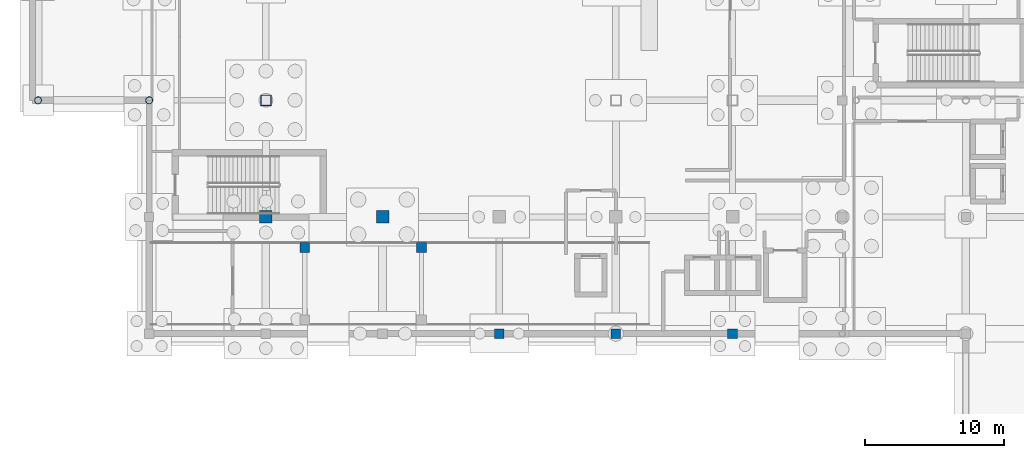
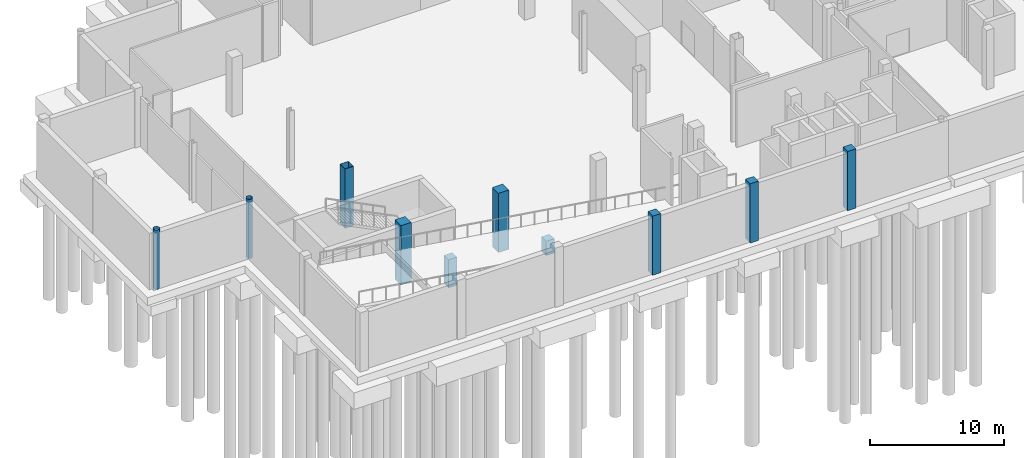
# One storey, part 6 of 49: 10 columns.
"""IFC4 building model written with IfcOpenShell, lengths in metres."""

from ifc_helpers import new_model, si_unit, direction, frame, origin, origin_2d, place, context, subcontext, project, spatial, rectangle, hollow_rectangle, hollow_circle, extrude, material, material_profile, profile_set, type_object, element, save


model = new_model("IFC4")

# Units and contexts
model_context = context("Model", 3, precision=1e-05, world=origin(), true_north=direction((0.0, 1.0)))
body_context = subcontext(model_context, "Body", "Model", "MODEL_VIEW")
ifc_project = project(units=[si_unit("LENGTHUNIT", "METRE"), si_unit("AREAUNIT", "SQUARE_METRE"), si_unit("VOLUMEUNIT", "CUBIC_METRE"), si_unit("PLANEANGLEUNIT", "RADIAN"), si_unit("MASSUNIT", "GRAM", prefix="KILO"), si_unit("THERMODYNAMICTEMPERATUREUNIT", "KELVIN")], contexts=[model_context])

# Site, building, storey
site_placement = place(None, origin())
site = spatial("IfcSite", under=ifc_project, at=site_placement, CompositionType="ELEMENT")
building_placement = place(site_placement, origin())
building = spatial("IfcBuilding", under=site, at=building_placement, Name="Lustrewick Department Store", CompositionType="ELEMENT")
storey_placement = place(building_placement, frame((0.0, 0.0, -5.39990234375)))
storey = spatial("IfcBuildingStorey", under=building, at=storey_placement, Name="B1", CompositionType="ELEMENT", Elevation=-5.39990234375)

# Columns
ifc_material_1 = material(Name="Structural steel Q355C", Category="steel")
ifc_material_profile_1 = material_profile(ifc_material_1, hollow_rectangle(XDim=0.75, YDim=0.75, WallThickness=0.028076171875, at=origin_2d()), Name="BOX 750x750x28")
ifc_profile_set_1 = profile_set([ifc_material_profile_1], Name="Structural steel Q355C")
column_type_1 = type_object("IfcColumnType", Name="C01", PredefinedType="COLUMN", material=ifc_profile_set_1)
column_1_placement = place(storey_placement, frame((16.800048828125, 58.800048828125, 0.0), z_axis=(0.0, 0.0, 1.0), x_axis=(1.0, 0.0, 0.0)))
element("IfcColumn", 1, at=column_1_placement, inside=storey, type_object=column_type_1, Name="B1 V1 Column C01", PredefinedType="COLUMN", context=body_context, shape_type="SweptSolid", body=[
    extrude(hollow_rectangle(XDim=0.75, YDim=0.75, WallThickness=0.028076171875, at=origin_2d()), origin(), (0.0, 0.0, 1.0), 5.39990234375),
])
ifc_material_2 = material(Name="Concrete C50", Category="concrete")
ifc_material_profile_2 = material_profile(ifc_material_2, rectangle(XDim=0.89990234375, YDim=0.89990234375, at=origin_2d()), Name="RC 900x900")
ifc_profile_set_2 = profile_set([ifc_material_profile_2], Name="Concrete C50")
column_type_2 = type_object("IfcColumnType", Name="C17", PredefinedType="COLUMN", material=ifc_profile_set_2)
for number, where, z_axis, x_axis, name in (
    (2, (16.800048828125, 50.39990234375, 0.0), (0.0, 0.0, 1.0), (1.0, 0.0, 0.0), "B1 V1 Column C17"),
    (3, (25.199951171875, 50.39990234375, 0.0), (0.0, 0.0, 1.0), (1.0, 0.0, 0.0), "B1 V1 Column C17"),
):
    element("IfcColumn", number, at=place(storey_placement, frame(where, z_axis=z_axis, x_axis=x_axis)), inside=storey, type_object=column_type_2, Name=name, PredefinedType="COLUMN", context=body_context, shape_type="SweptSolid", body=[
        extrude(rectangle(XDim=0.89990234375, YDim=0.89990234375, at=origin_2d()), origin(), (0.0, 0.0, 1.0), 5.39990234375),
    ])
ifc_material_profile_3 = material_profile(ifc_material_1, hollow_circle(Radius=0.25390625, WallThickness=0.01611328125, at=origin_2d()), Name="CHS 508x16")
ifc_profile_set_3 = profile_set([ifc_material_profile_3], Name="Structural steel Q355C")
column_type_3 = type_object("IfcColumnType", Name="CE01", PredefinedType="COLUMN", material=ifc_profile_set_3)
for number, where, z_axis, x_axis, name in (
    (4, (0.39990234375, 58.800048828125, 0.0), (0.0, 0.0, 1.0), (1.0, 0.0, 0.0), "B1 V1 Column CE01"),
    (5, (8.39990234375, 58.800048828125, 0.0), (0.0, 0.0, 1.0), (1.0, 0.0, 0.0), "B1 V1 Column CE01"),
):
    element("IfcColumn", number, at=place(storey_placement, frame(where, z_axis=z_axis, x_axis=x_axis)), inside=storey, type_object=column_type_3, Name=name, PredefinedType="COLUMN", context=body_context, shape_type="SweptSolid", body=[
        extrude(hollow_circle(Radius=0.25390625, WallThickness=0.01611328125, at=origin_2d()), origin(), (0.0, 0.0, 1.0), 5.39990234375),
    ])
ifc_material_3 = material(Name="Concrete C40", Category="concrete")
ifc_material_profile_4 = material_profile(ifc_material_3, rectangle(XDim=0.699951171875, YDim=0.699951171875, at=origin_2d()), Name="RC 700x700")
ifc_profile_set_4 = profile_set([ifc_material_profile_4], Name="Concrete C40")
column_type_4 = type_object("IfcColumnType", Name="CE06", PredefinedType="COLUMN", material=ifc_profile_set_4)
for number, where, z_axis, x_axis, name in (
    (6, (33.60009765625, 42.0, 0.0), (0.0, 0.0, 1.0), (1.0, 0.0, 0.0), "B1 V1 Column CE06"),
    (7, (42.0, 42.0, 0.0), (0.0, 0.0, 1.0), (1.0, 0.0, 0.0), "B1 V1 Column CE06"),
    (8, (50.39990234375, 42.0, 0.0), (0.0, 0.0, 1.0), (1.0, 0.0, 0.0), "B1 V1 Column CE06"),
):
    element("IfcColumn", number, at=place(storey_placement, frame(where, z_axis=z_axis, x_axis=x_axis)), inside=storey, type_object=column_type_4, Name=name, PredefinedType="COLUMN", context=body_context, shape_type="SweptSolid", body=[
        extrude(rectangle(XDim=0.699951171875, YDim=0.699951171875, at=origin_2d()), origin(), (0.0, 0.0, 1.0), 5.39990234375),
    ])
column_2_placement = place(storey_placement, frame((19.60009765625, 48.199951171875, 0.0), z_axis=(0.0, 0.0, 1.0), x_axis=(1.0, 0.0, 0.0)))
element("IfcColumn", 9, at=column_2_placement, inside=storey, type_object=column_type_4, Name="B1 Vehicle Ramp Support Pier 1N", PredefinedType="COLUMN", context=body_context, shape_type="SweptSolid", body=[
    extrude(rectangle(XDim=0.699951171875, YDim=0.699951171875, at=origin_2d()), origin(), (0.0, 0.0, 1.0), 2.552978515625),
])
column_3_placement = place(storey_placement, frame((28.0, 48.199951171875, 0.0), z_axis=(0.0, 0.0, 1.0), x_axis=(1.0, 0.0, 0.0)))
element("IfcColumn", 10, at=column_3_placement, inside=storey, type_object=column_type_4, Name="B1 Vehicle Ramp Support Pier 2N", PredefinedType="COLUMN", context=body_context, shape_type="SweptSolid", body=[
    extrude(rectangle(XDim=0.699951171875, YDim=0.699951171875, at=origin_2d()), origin(), (0.0, 0.0, 1.0), 1.29296875),
])

save(model, "model.ifc")
